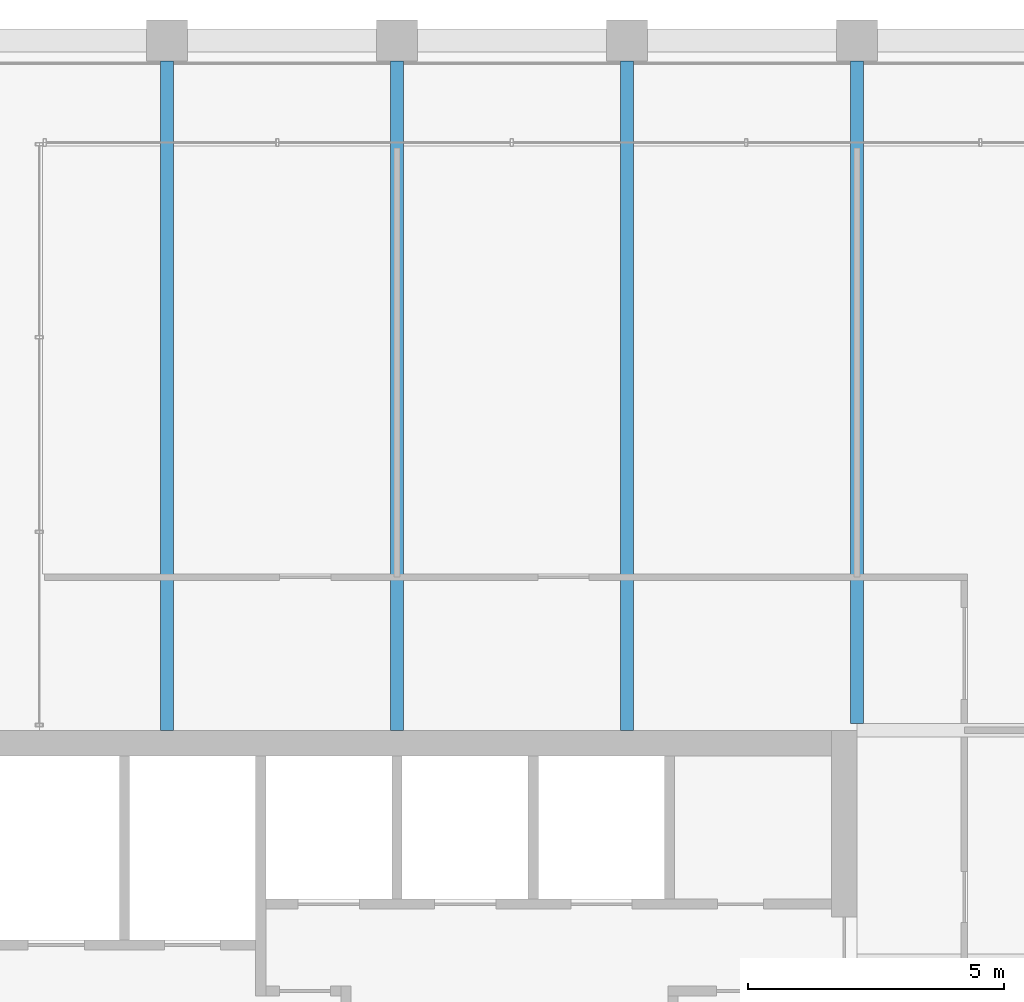
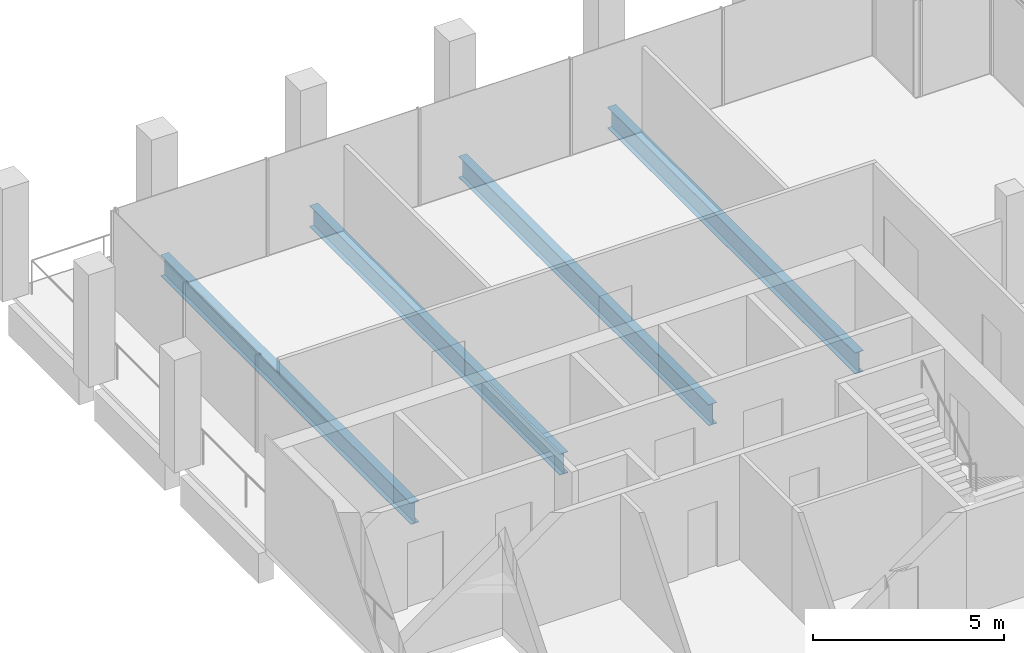
# One storey, part 22 of 30: 4 beams.
"""IFC4 building model written with IfcOpenShell, lengths in metres."""

from ifc_helpers import new_model, si_unit, direction, frame, origin, origin_2d, place, context, subcontext, project, spatial, i_section, extrude, material, material_profile, profile_set, type_object, element, save


model = new_model("IFC4")

# Units and contexts
model_context = context("Model", 3, precision=1e-05, world=origin(), true_north=direction((0.0, 1.0)))
body_context = subcontext(model_context, "Body", "Model", "MODEL_VIEW")
ifc_project = project(units=[si_unit("LENGTHUNIT", "METRE"), si_unit("AREAUNIT", "SQUARE_METRE"), si_unit("VOLUMEUNIT", "CUBIC_METRE"), si_unit("PLANEANGLEUNIT", "RADIAN"), si_unit("MASSUNIT", "GRAM", prefix="KILO")], contexts=[model_context])

# Site, building, storey
site_placement = place(None, origin())
site = spatial("IfcSite", under=ifc_project, at=site_placement, CompositionType="ELEMENT")
building_placement = place(site_placement, origin())
building = spatial("IfcBuilding", under=site, at=building_placement, Name="Altepetl Exchange Towers", CompositionType="ELEMENT")
storey_placement = place(building_placement, frame((0.0, 0.0, 231.60009765625)))
storey = spatial("IfcBuildingStorey", under=building, at=storey_placement, Name="L59", CompositionType="ELEMENT", Elevation=231.60009765625)

# Beams
ifc_material = material(Name="Steel S355", Category="steel")
ifc_material_profile = material_profile(ifc_material, i_section(OverallWidth=0.2529296875, OverallDepth=0.677978515625, WebThickness=0.01171875, FlangeThickness=0.016357421875, at=origin_2d()), Name="W27X84")
ifc_profile_set = profile_set([ifc_material_profile], Name="Steel S355")
beam_type = type_object("IfcBeamType", Name="Floor beam W27X84", PredefinedType="BEAM", material=ifc_profile_set)
for number, where, z_axis, x_axis, name in (
    (1, (45.0, 58.5, -0.489013671875), (0.0, 1.0, 0.0), (-1.0, 0.0, 0.0), "bm:A:L59:000"),
    (2, (49.5, 58.5, -0.489013671875), (0.0, 1.0, 0.0), (-1.0, 0.0, 0.0), "bm:A:L59:001"),
    (3, (54.0, 58.5, -0.489013671875), (0.0, 1.0, 0.0), (-1.0, 0.0, 0.0), "bm:A:L59:002"),
):
    element("IfcBeam", number, at=place(storey_placement, frame(where, z_axis=z_axis, x_axis=x_axis)), inside=storey, type_object=beam_type, Name=name, PredefinedType="BEAM", context=body_context, shape_type="SweptSolid", body=[
        extrude(i_section(OverallWidth=0.2529296875, OverallDepth=0.677978515625, WebThickness=0.01171875, FlangeThickness=0.016357421875, at=origin_2d()), origin(), (0.0, 0.0, 1.0), 13.10009765625),
    ])
beam_placement = place(storey_placement, frame((58.5, 58.634033203125, -0.489013671875), z_axis=(0.0, 1.0, 0.0), x_axis=(-1.0, 0.0, 0.0)))
element("IfcBeam", 4, at=beam_placement, inside=storey, type_object=beam_type, Name="bm:A:L59:003", PredefinedType="BEAM", context=body_context, shape_type="SweptSolid", body=[
    extrude(i_section(OverallWidth=0.2529296875, OverallDepth=0.677978515625, WebThickness=0.01171875, FlangeThickness=0.016357421875, at=origin_2d()), origin(), (0.0, 0.0, 1.0), 12.966064453125),
])

save(model, "model.ifc")
